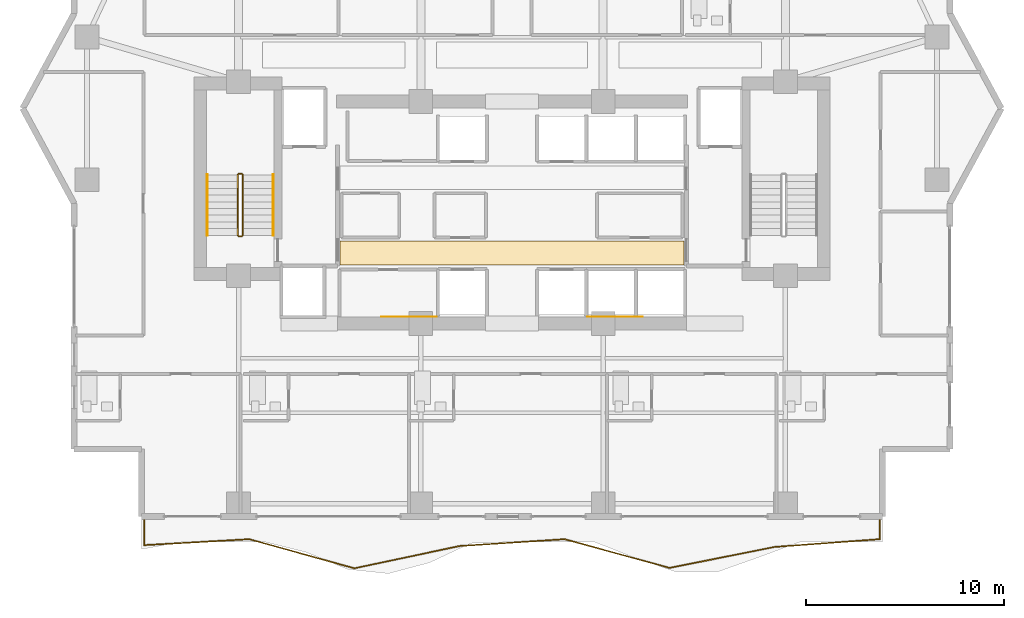
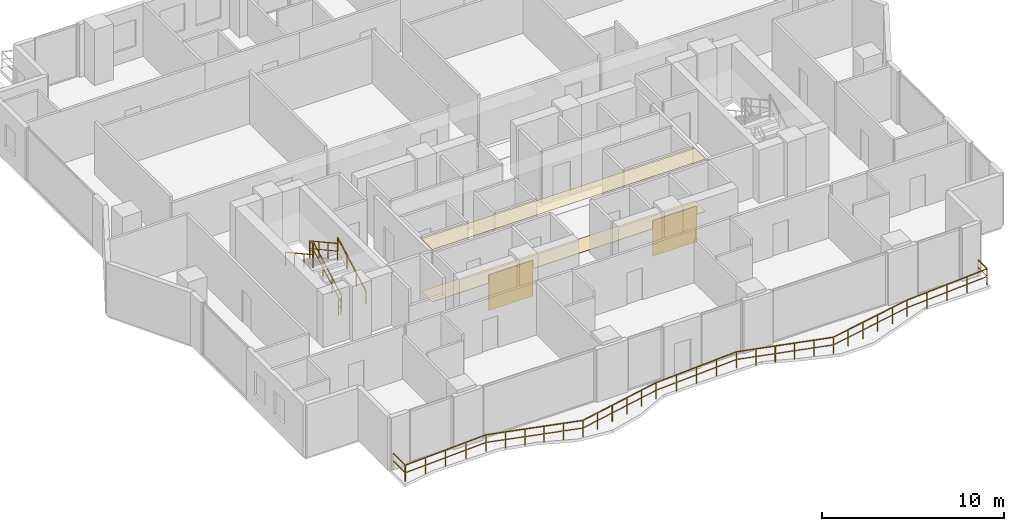
# One storey, part 29 of 32: 7 railings, 4 coverings.
"""IFC4 building model written with IfcOpenShell, lengths in metres."""

from ifc_helpers import new_model, si_unit, direction, frame, origin, origin_2d, place, context, subcontext, project, spatial, polyline, rectangle, outline, extrude, material, layer, layer_set, type_object, element, save


model = new_model("IFC4")

# Units and contexts
model_context = context("Model", 3, precision=1e-05, world=origin(), true_north=direction((0.0, 1.0)))
body_context = subcontext(model_context, "Body", "Model", "MODEL_VIEW")
ifc_project = project(units=[si_unit("LENGTHUNIT", "METRE"), si_unit("AREAUNIT", "SQUARE_METRE"), si_unit("VOLUMEUNIT", "CUBIC_METRE"), si_unit("PLANEANGLEUNIT", "RADIAN"), si_unit("MASSUNIT", "GRAM", prefix="KILO")], contexts=[model_context])

# Site, building, storey
site_placement = place(None, origin())
site = spatial("IfcSite", under=ifc_project, at=site_placement, CompositionType="ELEMENT")
building_placement = place(site_placement, origin())
building = spatial("IfcBuilding", under=site, at=building_placement, Name="Zuhayl Quay Hotel", CompositionType="ELEMENT")
storey_placement = place(building_placement, frame((0.0, 0.0, 181.14990234375)))
storey = spatial("IfcBuildingStorey", under=building, at=storey_placement, Name="L45", CompositionType="ELEMENT", Elevation=181.14990234375)

# Coverings
ifc_material_1 = material(Name="Acoustic Mineral-Fibre Gypsum Board")
ifc_layer_1 = layer(ifc_material_1, 0.02490234375, Name="Acoustic Mineral-Fibre Gypsum Board")
ifc_layer_set_1 = layer_set([ifc_layer_1], Name="Acoustic Mineral-Fibre Gypsum Board")
covering_type_1 = type_object("IfcCoveringType", Name="CV_CEIL_ACOUSTIC", PredefinedType="CEILING", material=ifc_layer_set_1)
covering_1_placement = place(storey_placement, frame((0.0, 0.0, 3.505126953125)))
element("IfcCovering", 1, at=covering_1_placement, inside=storey, type_object=covering_type_1, Name="L45 Suspended Acoustic Lobby Ceiling S", PredefinedType="CEILING", context=body_context, shape_type="SweptSolid", body=[
    extrude(outline(polyline([(-8.679931640625, 5.10009765625), (8.679931640625, 5.10009765625), (8.679931640625, 6.300048828125), (-8.679931640625, 6.300048828125), (-8.679931640625, 5.10009765625)])), origin(), (0.0, 0.0, 1.0), 0.02490234375),
])
ifc_material_2 = material(Name="Polished Limestone Terrazzo", Category="masonry")
ifc_layer_2 = layer(ifc_material_2, 0.02001953125, Name="Polished Limestone Terrazzo", Category="masonry")
ifc_layer_set_2 = layer_set([ifc_layer_2], Name="Polished Limestone Terrazzo")
covering_type_2 = type_object("IfcCoveringType", Name="CV_FLOOR_TERRAZZO", PredefinedType="FLOORING", material=ifc_layer_set_2)
covering_2_placement = place(storey_placement, origin())
element("IfcCovering", 2, at=covering_2_placement, inside=storey, type_object=covering_type_2, Name="L45 Honed Limestone Terrazzo Lobby Flooring S", PredefinedType="FLOORING", context=body_context, shape_type="SweptSolid", body=[
    extrude(outline(polyline([(-8.679931640625, 5.10009765625), (8.679931640625, 5.10009765625), (8.679931640625, 6.300048828125), (-8.679931640625, 6.300048828125), (-8.679931640625, 5.10009765625)])), origin(), (0.0, 0.0, 1.0), 0.02001953125),
])
ifc_material_3 = material(Name="Acoustic Walnut Feature Timber", Category="wood")
ifc_layer_3 = layer(ifc_material_3, 0.02197265625, Name="Acoustic Walnut Feature Timber", Category="wood")
ifc_layer_set_3 = layer_set([ifc_layer_3], Name="Acoustic Walnut Feature Timber")
covering_type_3 = type_object("IfcCoveringType", Name="CV_WALL_CLAD", PredefinedType="CLADDING", material=ifc_layer_set_3)
for number, where, z_axis, x_axis, name in (
    (3, (-5.199951171875, 2.486083984375, 0.300048828125), (0.0, 0.0, 1.0), (1.0, 0.0, 0.0), "L45 Feature Lobby Walnut Wall Cladding W"),
    (4, (5.199951171875, 2.486083984375, 0.300048828125), (0.0, 0.0, 1.0), (1.0, 0.0, 0.0), "L45 Feature Lobby Walnut Wall Cladding E"),
):
    element("IfcCovering", number, at=place(storey_placement, frame(where, z_axis=z_axis, x_axis=x_axis)), inside=storey, type_object=covering_type_3, Name=name, PredefinedType="CLADDING", context=body_context, shape_type="SweptSolid", body=[
        extrude(rectangle(XDim=2.800048828125, YDim=0.02197265625, at=origin_2d()), origin(), (0.0, 0.0, 1.0), 2.39990234375),
    ])

# Railings
ifc_material_4 = material(Name="Anodised Aluminium and Laminated Glass", Category="aluminium")
railing_type_1 = type_object("IfcRailingType", Name="RL_EXT_BAL_1100", PredefinedType="BALUSTRADE", material=ifc_material_4)
railing_1_placement = place(storey_placement, frame((-18.56005859375, -7.719970703125, 0.0)))
element("IfcRailing", 5, at=railing_1_placement, inside=storey, type_object=railing_type_1, Name="L45 Balcony and Terrace Guard GR_L45_BAL_S", PredefinedType="BALUSTRADE", context=body_context, shape_type="SweptSolid", body=[
    extrude(rectangle(XDim=0.048095703125, YDim=0.048095703125, at=origin_2d()), frame((0.0, 0.0, 1.09619140625), z_axis=(0.0, -1.0, 0.0), x_axis=(1.0, 0.0, 0.0)), (0.0, 0.0, 1.0), 1.3212890625),
    extrude(rectangle(XDim=0.0361328125, YDim=0.0361328125, at=origin_2d()), frame((0.0, 0.0, 0.58251953125), z_axis=(0.0, -1.0, 0.0), x_axis=(1.0, 0.0, 0.0)), (0.0, 0.0, 1.0), 1.3212890625),
    extrude(rectangle(XDim=0.048095703125, YDim=0.048095703125, at=origin_2d()), frame((0.0, -1.3212890625, 1.09619140625), z_axis=(0.998390129398, 0.05671992172, 0.0), x_axis=(-0.05671992172, 0.998390129398, 0.0)), (0.0, 0.0, 1.0), 5.3115234375),
    extrude(rectangle(XDim=0.0361328125, YDim=0.0361328125, at=origin_2d()), frame((0.0, -1.3212890625, 0.58251953125), z_axis=(0.998390129398, 0.05671992172, 0.0), x_axis=(-0.05671992172, 0.998390129398, 0.0)), (0.0, 0.0, 1.0), 5.3115234375),
    extrude(rectangle(XDim=0.048095703125, YDim=0.048095703125, at=origin_2d()), frame((5.302978515625, -1.02001953125, 1.09619140625), z_axis=(0.963590331604, -0.267383007761, 0.0), x_axis=(0.267383007761, 0.963590331604, 0.0)), (0.0, 0.0, 1.0), 5.503173828125),
    extrude(rectangle(XDim=0.0361328125, YDim=0.0361328125, at=origin_2d()), frame((5.302978515625, -1.02001953125, 0.58251953125), z_axis=(0.963590331604, -0.267383007761, 0.0), x_axis=(0.267383007761, 0.963590331604, 0.0)), (0.0, 0.0, 1.0), 5.503173828125),
    extrude(rectangle(XDim=0.048095703125, YDim=0.048095703125, at=origin_2d()), frame((10.605712890625, -2.491455078125, 1.09619140625), z_axis=(0.978220271875, 0.207569505689, 0.0), x_axis=(-0.207569505689, 0.978220271875, 0.0)), (0.0, 0.0, 1.0), 5.421142578125),
    extrude(rectangle(XDim=0.0361328125, YDim=0.0361328125, at=origin_2d()), frame((10.605712890625, -2.491455078125, 0.58251953125), z_axis=(0.978220271875, 0.207569505689, 0.0), x_axis=(-0.207569505689, 0.978220271875, 0.0)), (0.0, 0.0, 1.0), 5.421142578125),
    extrude(rectangle(XDim=0.048095703125, YDim=0.048095703125, at=origin_2d()), frame((15.90869140625, -1.3662109375, 1.09619140625), z_axis=(0.997875693174, 0.065146764867, 0.0), x_axis=(-0.065146764867, 0.997875693174, 0.0)), (0.0, 0.0, 1.0), 5.31396484375),
    extrude(rectangle(XDim=0.0361328125, YDim=0.0361328125, at=origin_2d()), frame((15.90869140625, -1.3662109375, 0.58251953125), z_axis=(0.997875693174, 0.065146764867, 0.0), x_axis=(-0.065146764867, 0.997875693174, 0.0)), (0.0, 0.0, 1.0), 5.31396484375),
    extrude(rectangle(XDim=0.048095703125, YDim=0.048095703125, at=origin_2d()), frame((21.21142578125, -1.02001953125, 1.09619140625), z_axis=(0.964616093712, -0.263658475594, 0.0), x_axis=(0.263658475594, 0.964616093712, 0.0)), (0.0, 0.0, 1.0), 5.49755859375),
    extrude(rectangle(XDim=0.0361328125, YDim=0.0361328125, at=origin_2d()), frame((21.21142578125, -1.02001953125, 0.58251953125), z_axis=(0.964616093712, -0.263658475594, 0.0), x_axis=(0.263658475594, 0.964616093712, 0.0)), (0.0, 0.0, 1.0), 5.49755859375),
    extrude(rectangle(XDim=0.048095703125, YDim=0.048095703125, at=origin_2d()), frame((26.514404296875, -2.469482421875, 1.09619140625), z_axis=(0.980658742138, 0.19572539812, 0.0), x_axis=(-0.19572539812, 0.980658742138, 0.0)), (0.0, 0.0, 1.0), 5.4072265625),
    extrude(rectangle(XDim=0.0361328125, YDim=0.0361328125, at=origin_2d()), frame((26.514404296875, -2.469482421875, 0.58251953125), z_axis=(0.980658742138, 0.19572539812, 0.0), x_axis=(-0.19572539812, 0.980658742138, 0.0)), (0.0, 0.0, 1.0), 5.4072265625),
    extrude(rectangle(XDim=0.048095703125, YDim=0.048095703125, at=origin_2d()), frame((31.817138671875, -1.4111328125, 1.09619140625), z_axis=(0.997291255678, 0.073553731025, 0.0), x_axis=(-0.073553731025, 0.997291255678, 0.0)), (0.0, 0.0, 1.0), 5.3173828125),
    extrude(rectangle(XDim=0.0361328125, YDim=0.0361328125, at=origin_2d()), frame((31.817138671875, -1.4111328125, 0.58251953125), z_axis=(0.997291255678, 0.073553731025, 0.0), x_axis=(-0.073553731025, 0.997291255678, 0.0)), (0.0, 0.0, 1.0), 5.3173828125),
    extrude(rectangle(XDim=0.048095703125, YDim=0.048095703125, at=origin_2d()), frame((37.1201171875, -1.02001953125, 1.09619140625), z_axis=(0.0, 1.0, 0.0), x_axis=(-1.0, 0.0, 0.0)), (0.0, 0.0, 1.0), 1.02001953125),
    extrude(rectangle(XDim=0.0361328125, YDim=0.0361328125, at=origin_2d()), frame((37.1201171875, -1.02001953125, 0.58251953125), z_axis=(0.0, 1.0, 0.0), x_axis=(-1.0, 0.0, 0.0)), (0.0, 0.0, 1.0), 1.02001953125),
    extrude(rectangle(XDim=0.0419921875, YDim=0.0419921875, at=origin_2d()), origin(), (0.0, 0.0, 1.0), 1.072021484375),
    extrude(rectangle(XDim=0.0419921875, YDim=0.0419921875, at=origin_2d()), frame((0.0, -1.3212890625, 0.0)), (0.0, 0.0, 1.0), 1.072021484375),
    extrude(rectangle(XDim=0.0419921875, YDim=0.0419921875, at=origin_2d()), frame((1.32568359375, -1.24609375, 0.0)), (0.0, 0.0, 1.0), 1.072021484375),
    extrude(rectangle(XDim=0.0419921875, YDim=0.0419921875, at=origin_2d()), frame((2.6513671875, -1.170654296875, 0.0)), (0.0, 0.0, 1.0), 1.072021484375),
    extrude(rectangle(XDim=0.0419921875, YDim=0.0419921875, at=origin_2d()), frame((3.977294921875, -1.09521484375, 0.0)), (0.0, 0.0, 1.0), 1.072021484375),
    extrude(rectangle(XDim=0.0419921875, YDim=0.0419921875, at=origin_2d()), frame((5.302978515625, -1.02001953125, 0.0)), (0.0, 0.0, 1.0), 1.072021484375),
    extrude(rectangle(XDim=0.0419921875, YDim=0.0419921875, at=origin_2d()), frame((6.363525390625, -1.314208984375, 0.0)), (0.0, 0.0, 1.0), 1.072021484375),
    extrude(rectangle(XDim=0.0419921875, YDim=0.0419921875, at=origin_2d()), frame((7.424072265625, -1.608642578125, 0.0)), (0.0, 0.0, 1.0), 1.072021484375),
    extrude(rectangle(XDim=0.0419921875, YDim=0.0419921875, at=origin_2d()), frame((8.484619140625, -1.90283203125, 0.0)), (0.0, 0.0, 1.0), 1.072021484375),
    extrude(rectangle(XDim=0.0419921875, YDim=0.0419921875, at=origin_2d()), frame((9.545166015625, -2.197265625, 0.0)), (0.0, 0.0, 1.0), 1.072021484375),
    extrude(rectangle(XDim=0.0419921875, YDim=0.0419921875, at=origin_2d()), frame((10.605712890625, -2.491455078125, 0.0)), (0.0, 0.0, 1.0), 1.072021484375),
    extrude(rectangle(XDim=0.0419921875, YDim=0.0419921875, at=origin_2d()), frame((11.666259765625, -2.266357421875, 0.0)), (0.0, 0.0, 1.0), 1.072021484375),
    extrude(rectangle(XDim=0.0419921875, YDim=0.0419921875, at=origin_2d()), frame((12.726806640625, -2.041259765625, 0.0)), (0.0, 0.0, 1.0), 1.072021484375),
    extrude(rectangle(XDim=0.0419921875, YDim=0.0419921875, at=origin_2d()), frame((13.78759765625, -1.81640625, 0.0)), (0.0, 0.0, 1.0), 1.072021484375),
    extrude(rectangle(XDim=0.0419921875, YDim=0.0419921875, at=origin_2d()), frame((14.84814453125, -1.59130859375, 0.0)), (0.0, 0.0, 1.0), 1.072021484375),
    extrude(rectangle(XDim=0.0419921875, YDim=0.0419921875, at=origin_2d()), frame((15.90869140625, -1.3662109375, 0.0)), (0.0, 0.0, 1.0), 1.072021484375),
    extrude(rectangle(XDim=0.0419921875, YDim=0.0419921875, at=origin_2d()), frame((17.234375, -1.27978515625, 0.0)), (0.0, 0.0, 1.0), 1.072021484375),
    extrude(rectangle(XDim=0.0419921875, YDim=0.0419921875, at=origin_2d()), frame((18.56005859375, -1.193115234375, 0.0)), (0.0, 0.0, 1.0), 1.072021484375),
    extrude(rectangle(XDim=0.0419921875, YDim=0.0419921875, at=origin_2d()), frame((19.8857421875, -1.1064453125, 0.0)), (0.0, 0.0, 1.0), 1.072021484375),
    extrude(rectangle(XDim=0.0419921875, YDim=0.0419921875, at=origin_2d()), frame((21.21142578125, -1.02001953125, 0.0)), (0.0, 0.0, 1.0), 1.072021484375),
    extrude(rectangle(XDim=0.0419921875, YDim=0.0419921875, at=origin_2d()), frame((22.27197265625, -1.309814453125, 0.0)), (0.0, 0.0, 1.0), 1.072021484375),
    extrude(rectangle(XDim=0.0419921875, YDim=0.0419921875, at=origin_2d()), frame((23.33251953125, -1.599853515625, 0.0)), (0.0, 0.0, 1.0), 1.072021484375),
    extrude(rectangle(XDim=0.0419921875, YDim=0.0419921875, at=origin_2d()), frame((24.393310546875, -1.8896484375, 0.0)), (0.0, 0.0, 1.0), 1.072021484375),
    extrude(rectangle(XDim=0.0419921875, YDim=0.0419921875, at=origin_2d()), frame((25.453857421875, -2.1796875, 0.0)), (0.0, 0.0, 1.0), 1.072021484375),
    extrude(rectangle(XDim=0.0419921875, YDim=0.0419921875, at=origin_2d()), frame((26.514404296875, -2.469482421875, 0.0)), (0.0, 0.0, 1.0), 1.072021484375),
    extrude(rectangle(XDim=0.0419921875, YDim=0.0419921875, at=origin_2d()), frame((27.574951171875, -2.2578125, 0.0)), (0.0, 0.0, 1.0), 1.072021484375),
    extrude(rectangle(XDim=0.0419921875, YDim=0.0419921875, at=origin_2d()), frame((28.635498046875, -2.046142578125, 0.0)), (0.0, 0.0, 1.0), 1.072021484375),
    extrude(rectangle(XDim=0.0419921875, YDim=0.0419921875, at=origin_2d()), frame((29.696044921875, -1.83447265625, 0.0)), (0.0, 0.0, 1.0), 1.072021484375),
    extrude(rectangle(XDim=0.0419921875, YDim=0.0419921875, at=origin_2d()), frame((30.756591796875, -1.622802734375, 0.0)), (0.0, 0.0, 1.0), 1.072021484375),
    extrude(rectangle(XDim=0.0419921875, YDim=0.0419921875, at=origin_2d()), frame((31.817138671875, -1.4111328125, 0.0)), (0.0, 0.0, 1.0), 1.072021484375),
    extrude(rectangle(XDim=0.0419921875, YDim=0.0419921875, at=origin_2d()), frame((33.142822265625, -1.3134765625, 0.0)), (0.0, 0.0, 1.0), 1.072021484375),
    extrude(rectangle(XDim=0.0419921875, YDim=0.0419921875, at=origin_2d()), frame((34.46875, -1.215576171875, 0.0)), (0.0, 0.0, 1.0), 1.072021484375),
    extrude(rectangle(XDim=0.0419921875, YDim=0.0419921875, at=origin_2d()), frame((35.79443359375, -1.11767578125, 0.0)), (0.0, 0.0, 1.0), 1.072021484375),
    extrude(rectangle(XDim=0.0419921875, YDim=0.0419921875, at=origin_2d()), frame((37.1201171875, -1.02001953125, 0.0)), (0.0, 0.0, 1.0), 1.072021484375),
    extrude(rectangle(XDim=0.0419921875, YDim=0.0419921875, at=origin_2d()), frame((37.1201171875, 0.0, 0.0)), (0.0, 0.0, 1.0), 1.072021484375),
])
ifc_material_5 = material(Name="Steel ASTM A992 Grade 50", Category="steel")
railing_type_2 = type_object("IfcRailingType", Name="RL_GUARD_1100", PredefinedType="GUARDRAIL", material=ifc_material_5)
railing_2_placement = place(storey_placement, frame((-13.590087890625, 6.590087890625, 0.1875)))
element("IfcRailing", 6, at=railing_2_placement, inside=storey, type_object=railing_type_2, Name="L45 ST1 stair guard 1", PredefinedType="GUARDRAIL", context=body_context, shape_type="SweptSolid", body=[
    extrude(rectangle(XDim=0.048095703125, YDim=0.048095703125, at=origin_2d()), frame((0.0, 0.0, 1.09619140625), z_axis=(0.0, 0.875659195171, 0.482929574485), x_axis=(-1.0, 0.0, 0.0)), (0.0, 0.0, 1.0), 3.494384765625),
    extrude(rectangle(XDim=0.0361328125, YDim=0.0361328125, at=origin_2d()), frame((0.0, 0.0, 0.58251953125), z_axis=(0.0, 0.875659195171, 0.482929574485), x_axis=(-1.0, 0.0, 0.0)), (0.0, 0.0, 1.0), 3.494384765625),
    extrude(rectangle(XDim=0.0419921875, YDim=0.0419921875, at=origin_2d()), origin(), (0.0, 0.0, 1.0), 1.072021484375),
    extrude(rectangle(XDim=0.0419921875, YDim=0.0419921875, at=origin_2d()), frame((0.0, 1.02001953125, 0.5625)), (0.0, 0.0, 1.0), 1.072021484375),
    extrude(rectangle(XDim=0.0419921875, YDim=0.0419921875, at=origin_2d()), frame((0.0, 2.039794921875, 1.125)), (0.0, 0.0, 1.0), 1.072021484375),
    extrude(rectangle(XDim=0.0419921875, YDim=0.0419921875, at=origin_2d()), frame((0.0, 3.059814453125, 1.6875)), (0.0, 0.0, 1.0), 1.072021484375),
])
railing_3_placement = place(storey_placement, frame((-13.639892578125, 9.699951171875, 1.875)))
element("IfcRailing", 7, at=railing_3_placement, inside=storey, type_object=railing_type_2, Name="L45 ST1 stair guard 2", PredefinedType="GUARDRAIL", context=body_context, shape_type="SweptSolid", body=[
    extrude(rectangle(XDim=0.048095703125, YDim=0.048095703125, at=origin_2d()), frame((0.0, 0.0, 1.09619140625), z_axis=(-1.0, 0.0, 0.0), x_axis=(0.0, -1.0, 0.0)), (0.0, 0.0, 1.0), 0.150146484375),
    extrude(rectangle(XDim=0.0361328125, YDim=0.0361328125, at=origin_2d()), frame((0.0, 0.0, 0.58251953125), z_axis=(-1.0, 0.0, 0.0), x_axis=(0.0, -1.0, 0.0)), (0.0, 0.0, 1.0), 0.150146484375),
    extrude(rectangle(XDim=0.0419921875, YDim=0.0419921875, at=origin_2d()), origin(), (0.0, 0.0, 1.0), 1.072021484375),
    extrude(rectangle(XDim=0.0419921875, YDim=0.0419921875, at=origin_2d()), frame((-0.150146484375, 0.0, 0.0)), (0.0, 0.0, 1.0), 1.072021484375),
])
railing_4_placement = place(storey_placement, frame((-13.840087890625, 9.64990234375, 2.0625)))
element("IfcRailing", 8, at=railing_4_placement, inside=storey, type_object=railing_type_2, Name="L45 ST1 stair guard 3", PredefinedType="GUARDRAIL", context=body_context, shape_type="SweptSolid", body=[
    extrude(rectangle(XDim=0.048095703125, YDim=0.048095703125, at=origin_2d()), frame((0.0, 0.0, 1.09619140625), z_axis=(0.0, -0.875659195171, 0.482929574485), x_axis=(1.0, 0.0, 0.0)), (0.0, 0.0, 1.0), 3.494384765625),
    extrude(rectangle(XDim=0.0361328125, YDim=0.0361328125, at=origin_2d()), frame((0.0, 0.0, 0.58251953125), z_axis=(0.0, -0.875659195171, 0.482929574485), x_axis=(1.0, 0.0, 0.0)), (0.0, 0.0, 1.0), 3.494384765625),
    extrude(rectangle(XDim=0.0419921875, YDim=0.0419921875, at=origin_2d()), origin(), (0.0, 0.0, 1.0), 1.072021484375),
    extrude(rectangle(XDim=0.0419921875, YDim=0.0419921875, at=origin_2d()), frame((0.0, -1.02001953125, 0.5625)), (0.0, 0.0, 1.0), 1.072021484375),
    extrude(rectangle(XDim=0.0419921875, YDim=0.0419921875, at=origin_2d()), frame((0.0, -2.039794921875, 1.125)), (0.0, 0.0, 1.0), 1.072021484375),
    extrude(rectangle(XDim=0.0419921875, YDim=0.0419921875, at=origin_2d()), frame((0.0, -3.059814453125, 1.6875)), (0.0, 0.0, 1.0), 1.072021484375),
])
railing_5_placement = place(storey_placement, frame((-13.639892578125, 6.5400390625, 0.0)))
element("IfcRailing", 9, at=railing_5_placement, inside=storey, type_object=railing_type_2, Name="L45 ST1 stair guard 4", PredefinedType="GUARDRAIL", context=body_context, shape_type="SweptSolid", body=[
    extrude(rectangle(XDim=0.048095703125, YDim=0.048095703125, at=origin_2d()), frame((0.0, 0.0, 1.09619140625), z_axis=(-1.0, 0.0, 0.0), x_axis=(0.0, -1.0, 0.0)), (0.0, 0.0, 1.0), 0.150146484375),
    extrude(rectangle(XDim=0.0361328125, YDim=0.0361328125, at=origin_2d()), frame((0.0, 0.0, 0.58251953125), z_axis=(-1.0, 0.0, 0.0), x_axis=(0.0, -1.0, 0.0)), (0.0, 0.0, 1.0), 0.150146484375),
    extrude(rectangle(XDim=0.0419921875, YDim=0.0419921875, at=origin_2d()), origin(), (0.0, 0.0, 1.0), 1.072021484375),
    extrude(rectangle(XDim=0.0419921875, YDim=0.0419921875, at=origin_2d()), frame((-0.150146484375, 0.0, 0.0)), (0.0, 0.0, 1.0), 1.072021484375),
])
railing_type_3 = type_object("IfcRailingType", Name="RL_HANDRAIL_920", PredefinedType="HANDRAIL", material=ifc_material_5)
railing_6_placement = place(storey_placement, frame((-12.050048828125, 6.590087890625, 0.1875)))
element("IfcRailing", 10, at=railing_6_placement, inside=storey, type_object=railing_type_3, Name="L45 ST1 stair handrail 1", PredefinedType="HANDRAIL", context=body_context, shape_type="SweptSolid", body=[
    extrude(rectangle(XDim=0.048095703125, YDim=0.048095703125, at=origin_2d()), frame((0.0, 0.0, 0.8759765625), z_axis=(0.0, 0.875659195171, 0.482929574485), x_axis=(-1.0, 0.0, 0.0)), (0.0, 0.0, 1.0), 3.494384765625),
    extrude(rectangle(XDim=0.0419921875, YDim=0.0419921875, at=origin_2d()), origin(), (0.0, 0.0, 1.0), 0.851806640625),
    extrude(rectangle(XDim=0.0419921875, YDim=0.0419921875, at=origin_2d()), frame((0.0, 1.02001953125, 0.5625)), (0.0, 0.0, 1.0), 0.851806640625),
    extrude(rectangle(XDim=0.0419921875, YDim=0.0419921875, at=origin_2d()), frame((0.0, 2.039794921875, 1.125)), (0.0, 0.0, 1.0), 0.851806640625),
    extrude(rectangle(XDim=0.0419921875, YDim=0.0419921875, at=origin_2d()), frame((0.0, 3.059814453125, 1.6875)), (0.0, 0.0, 1.0), 0.851806640625),
])
railing_7_placement = place(storey_placement, frame((-15.3798828125, 9.64990234375, 2.0625)))
element("IfcRailing", 11, at=railing_7_placement, inside=storey, type_object=railing_type_3, Name="L45 ST1 stair handrail 2", PredefinedType="HANDRAIL", context=body_context, shape_type="SweptSolid", body=[
    extrude(rectangle(XDim=0.048095703125, YDim=0.048095703125, at=origin_2d()), frame((0.0, 0.0, 0.8759765625), z_axis=(0.0, -0.875659195171, 0.482929574485), x_axis=(1.0, 0.0, 0.0)), (0.0, 0.0, 1.0), 3.494384765625),
    extrude(rectangle(XDim=0.0419921875, YDim=0.0419921875, at=origin_2d()), origin(), (0.0, 0.0, 1.0), 0.851806640625),
    extrude(rectangle(XDim=0.0419921875, YDim=0.0419921875, at=origin_2d()), frame((0.0, -1.02001953125, 0.5625)), (0.0, 0.0, 1.0), 0.851806640625),
    extrude(rectangle(XDim=0.0419921875, YDim=0.0419921875, at=origin_2d()), frame((0.0, -2.039794921875, 1.125)), (0.0, 0.0, 1.0), 0.851806640625),
    extrude(rectangle(XDim=0.0419921875, YDim=0.0419921875, at=origin_2d()), frame((0.0, -3.059814453125, 1.6875)), (0.0, 0.0, 1.0), 0.851806640625),
])

save(model, "model.ifc")
